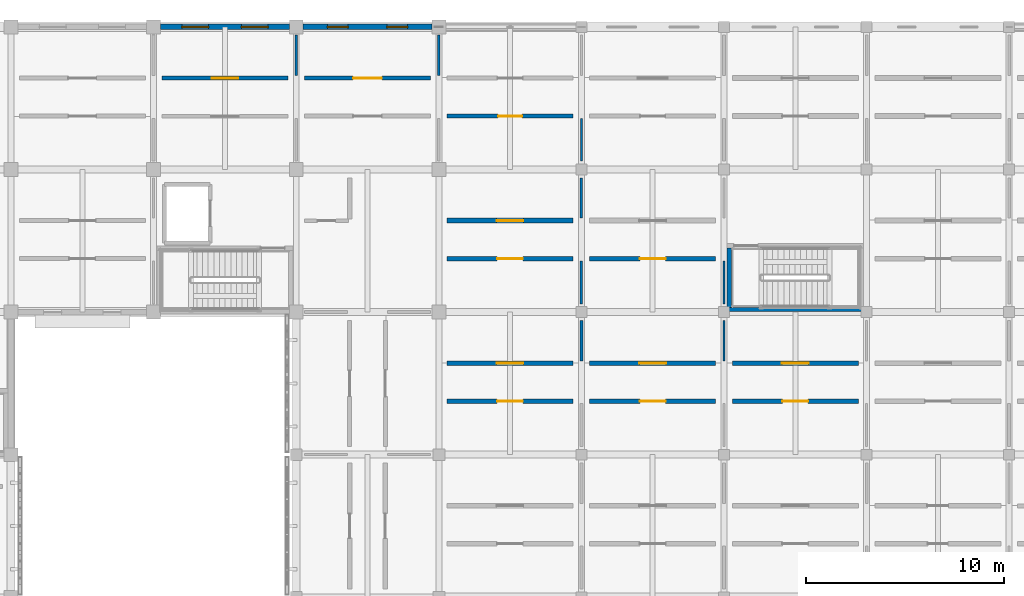
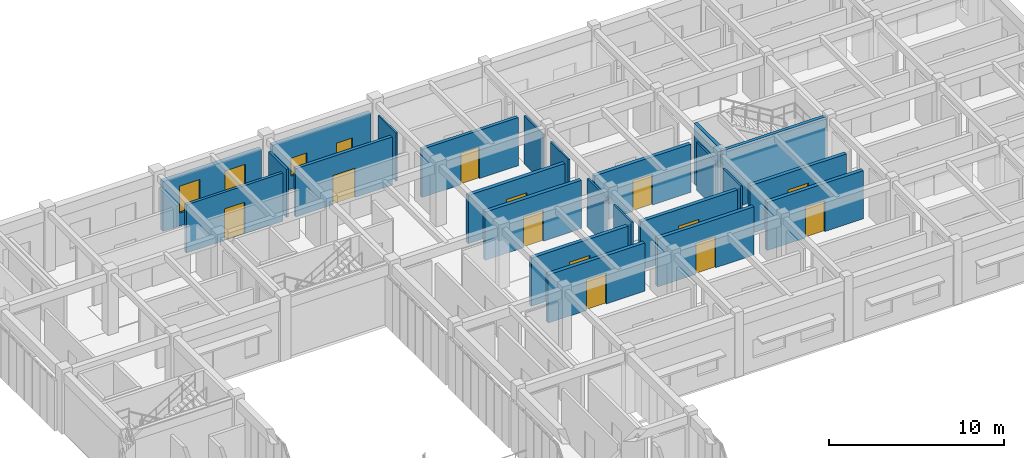
# One storey, part 127 of 171: 24 walls, 12 doors, 4 windows, 16 openings.
"""IFC4 building model written with IfcOpenShell, lengths in metres."""

from ifc_helpers import new_model, si_unit, direction, frame, frame_2d, origin, place, context, subcontext, project, spatial, rectangle, extrude, material, layer, layer_set, type_object, element, fill, save


model = new_model("IFC4")

# Units and contexts
model_context = context("Model", 3, precision=1e-05, world=origin(), true_north=direction((0.0, 1.0)))
body_context = subcontext(model_context, "Body", "Model", "MODEL_VIEW")
ifc_project = project(units=[si_unit("LENGTHUNIT", "METRE"), si_unit("AREAUNIT", "SQUARE_METRE"), si_unit("VOLUMEUNIT", "CUBIC_METRE"), si_unit("PLANEANGLEUNIT", "RADIAN"), si_unit("MASSUNIT", "GRAM", prefix="KILO")], contexts=[model_context])

# Site, building, storey
site_placement = place(None, origin())
site = spatial("IfcSite", under=ifc_project, at=site_placement, CompositionType="ELEMENT")
building_placement = place(site_placement, origin())
building = spatial("IfcBuilding", under=site, at=building_placement, Name="Aldebral Square Health Centre", CompositionType="ELEMENT")
storey_placement = place(building_placement, frame((0.0, 0.0, 4.5)))
storey = spatial("IfcBuildingStorey", under=building, at=storey_placement, Name="L01", CompositionType="ELEMENT", Elevation=4.5)

# Wall, openings, windows
ifc_material_1 = material(Name="Ochre mineral-rendered concrete C35/45 court wall", Category="concrete")
ifc_layer_1 = layer(ifc_material_1, 0.280029296875, Name="Ochre mineral-rendered concrete C35/45 court wall", Category="concrete")
ifc_layer_set_1 = layer_set([ifc_layer_1], Name="Ochre mineral-rendered concrete C35/45 court wall")
wall_type_1 = type_object("IfcWallType", Name="EW-OCH-280", PredefinedType="STANDARD", material=ifc_layer_set_1)
wall_1_placement = place(storey_placement, frame((21.25, 115.199951171875, 0.0), z_axis=(0.0, 0.0, 1.0), x_axis=(-1.0, 0.0, 0.0)))
wall_1 = element("IfcWall", 1, at=wall_1_placement, inside=storey, type_object=wall_type_1, Name="L01 V4 exterior wall L01-V4-02-15-N", PredefinedType="STANDARD", context=body_context, shape_type="SweptSolid", body=[
    extrude(rectangle(XDim=6.5, YDim=0.280029296875, at=frame_2d((3.25, 0.0))), origin(), (0.0, 0.0, 1.0), 3.469970703125),
])
opening_1_placement = place(wall_1_placement, frame((1.074951171875, 0.0, 0.89990234375)))
opening_1 = element("IfcOpeningElement", 2, at=opening_1_placement, cuts=wall_1, Name="Opening W49", PredefinedType="OPENING", context=body_context, shape_type="SweptSolid", body=[
    extrude(rectangle(XDim=1.35009765625, YDim=1.8798828125, at=frame_2d((0.675048828125, 0.93994140625))), frame((0.0, 0.14990234375, 0.0), z_axis=(0.0, -1.0, 0.0), x_axis=(1.0, 0.0, 0.0)), (0.0, 0.0, 1.0), 0.300048828125),
])
opening_2_placement = place(wall_1_placement, frame((4.074951171875, 0.0, 0.89990234375)))
opening_2 = element("IfcOpeningElement", 3, at=opening_2_placement, cuts=wall_1, Name="Opening W49", PredefinedType="OPENING", context=body_context, shape_type="SweptSolid", body=[
    extrude(rectangle(XDim=1.35009765625, YDim=1.8798828125, at=frame_2d((0.675048828125, 0.93994140625))), frame((0.0, 0.14990234375, 0.0), z_axis=(0.0, -1.0, 0.0), x_axis=(1.0, 0.0, 0.0)), (0.0, 0.0, 1.0), 0.300048828125),
])
ifc_material_2 = material(Name="Thermally broken aluminium and low-E glass", Category="aluminium")
window_type_1 = type_object("IfcWindowType", Name="WIN-W49", PartitioningType="SINGLE_PANEL", PredefinedType="WINDOW", material=ifc_material_2)
window_1_placement = place(opening_1_placement, origin())
window_1 = element("IfcWindow", 4, at=window_1_placement, inside=storey, type_object=window_type_1, Name="L01 clinical window L01-V4-02-15-N.1", OverallHeight=1.8798828125, OverallWidth=1.35009765625, PartitioningType="SINGLE_PANEL", PredefinedType="WINDOW", context=body_context, shape_type="SweptSolid", body=[
    extrude(rectangle(XDim=1.35009765625, YDim=1.8798828125, at=frame_2d((0.675048828125, 0.93994140625))), frame((0.0, 0.030029296875, 0.0), z_axis=(0.0, -1.0, 0.0), x_axis=(1.0, 0.0, 0.0)), (0.0, 0.0, 1.0), 0.06005859375),
])
fill(opening_1, window_1)
window_2_placement = place(opening_2_placement, origin())
window_2 = element("IfcWindow", 5, at=window_2_placement, inside=storey, type_object=window_type_1, Name="L01 clinical window L01-V4-02-15-N.2", OverallHeight=1.8798828125, OverallWidth=1.35009765625, PartitioningType="SINGLE_PANEL", PredefinedType="WINDOW", context=body_context, shape_type="SweptSolid", body=[
    extrude(rectangle(XDim=1.35009765625, YDim=1.8798828125, at=frame_2d((0.675048828125, 0.93994140625))), frame((0.0, 0.030029296875, 0.0), z_axis=(0.0, -1.0, 0.0), x_axis=(1.0, 0.0, 0.0)), (0.0, 0.0, 1.0), 0.06005859375),
])
fill(opening_2, window_2)

wall_2_placement = place(storey_placement, frame((28.449951171875, 115.199951171875, 0.0), z_axis=(0.0, 0.0, 1.0), x_axis=(-1.0, 0.0, 0.0)))
wall_2 = element("IfcWall", 6, at=wall_2_placement, inside=storey, type_object=wall_type_1, Name="L01 V4 exterior wall L01-V4-03-15-N", PredefinedType="STANDARD", context=body_context, shape_type="SweptSolid", body=[
    extrude(rectangle(XDim=6.5, YDim=0.280029296875, at=frame_2d((3.25, 0.0))), origin(), (0.0, 0.0, 1.0), 3.469970703125),
])
opening_3_placement = place(wall_2_placement, frame((1.22509765625, 0.0, 0.89990234375)))
opening_3 = element("IfcOpeningElement", 7, at=opening_3_placement, cuts=wall_2, Name="Opening W02", PredefinedType="OPENING", context=body_context, shape_type="SweptSolid", body=[
    extrude(rectangle(XDim=1.050048828125, YDim=1.25, at=frame_2d((0.52490234375, 0.625))), frame((0.0, 0.14990234375, 0.0), z_axis=(0.0, -1.0, 0.0), x_axis=(1.0, 0.0, 0.0)), (0.0, 0.0, 1.0), 0.300048828125),
])
opening_4_placement = place(wall_2_placement, frame((4.22509765625, 0.0, 0.89990234375)))
opening_4 = element("IfcOpeningElement", 8, at=opening_4_placement, cuts=wall_2, Name="Opening W02", PredefinedType="OPENING", context=body_context, shape_type="SweptSolid", body=[
    extrude(rectangle(XDim=1.050048828125, YDim=1.25, at=frame_2d((0.52490234375, 0.625))), frame((0.0, 0.14990234375, 0.0), z_axis=(0.0, -1.0, 0.0), x_axis=(1.0, 0.0, 0.0)), (0.0, 0.0, 1.0), 0.300048828125),
])
window_type_2 = type_object("IfcWindowType", Name="WIN-W02", PartitioningType="SINGLE_PANEL", PredefinedType="WINDOW", material=ifc_material_2)
window_3_placement = place(opening_3_placement, origin())
window_3 = element("IfcWindow", 9, at=window_3_placement, inside=storey, type_object=window_type_2, Name="L01 clinical window L01-V4-03-15-N.1", OverallHeight=1.25, OverallWidth=1.050048828125, PartitioningType="SINGLE_PANEL", PredefinedType="WINDOW", context=body_context, shape_type="SweptSolid", body=[
    extrude(rectangle(XDim=1.050048828125, YDim=1.25, at=frame_2d((0.52490234375, 0.625))), frame((0.0, 0.030029296875, 0.0), z_axis=(0.0, -1.0, 0.0), x_axis=(1.0, 0.0, 0.0)), (0.0, 0.0, 1.0), 0.06005859375),
])
fill(opening_3, window_3)
window_4_placement = place(opening_4_placement, origin())
window_4 = element("IfcWindow", 10, at=window_4_placement, inside=storey, type_object=window_type_2, Name="L01 clinical window L01-V4-03-15-N.2", OverallHeight=1.25, OverallWidth=1.050048828125, PartitioningType="SINGLE_PANEL", PredefinedType="WINDOW", context=body_context, shape_type="SweptSolid", body=[
    extrude(rectangle(XDim=1.050048828125, YDim=1.25, at=frame_2d((0.52490234375, 0.625))), frame((0.0, 0.030029296875, 0.0), z_axis=(0.0, -1.0, 0.0), x_axis=(1.0, 0.0, 0.0)), (0.0, 0.0, 1.0), 0.06005859375),
])
fill(opening_4, window_4)

# Wall, opening, door
ifc_material_3 = material(Name="Fire-rated acoustic gypsum partition")
ifc_layer_2 = layer(ifc_material_3, 0.179931640625, Name="Fire-rated acoustic gypsum partition")
ifc_layer_set_2 = layer_set([ifc_layer_2], Name="Fire-rated acoustic gypsum partition")
wall_type_2 = type_object("IfcWallType", Name="IW-COR-180", PredefinedType="PARTITIONING", material=ifc_layer_set_2)
wall_3_placement = place(storey_placement, frame((14.820068359375, 112.6201171875, 0.0), z_axis=(0.0, 0.0, 1.0), x_axis=(1.0, 0.0, 0.0)))
wall_3 = element("IfcWall", 11, at=wall_3_placement, inside=storey, type_object=wall_type_2, Name="L01 Internal Medicine Clinic 3.16N corridor wall", PredefinedType="PARTITIONING", context=body_context, shape_type="SweptSolid", body=[
    extrude(rectangle(XDim=6.35986328125, YDim=0.179931640625, at=frame_2d((3.179931640625, 0.0))), origin(), (0.0, 0.0, 1.0), 3.360107421875),
])
opening_5_placement = place(wall_3_placement, frame((2.5048828125, 0.0, 0.0)))
opening_5 = element("IfcOpeningElement", 12, at=opening_5_placement, cuts=wall_3, Name="Opening D-0289", PredefinedType="OPENING", context=body_context, shape_type="SweptSolid", body=[
    extrude(rectangle(XDim=1.35009765625, YDim=2.199951171875, at=frame_2d((0.675048828125, 1.10009765625))), frame((0.0, 0.10009765625, 0.0), z_axis=(0.0, -1.0, 0.0), x_axis=(1.0, 0.0, 0.0)), (0.0, 0.0, 1.0), 0.199951171875),
])
ifc_material_4 = material(Name="Lead-lined imaging suite door")
door_type_1 = type_object("IfcDoorType", Name="ID-IM-135", OperationType="NOTDEFINED", PredefinedType="DOOR", material=ifc_material_4)
door_1_placement = place(opening_5_placement, origin())
door_1 = element("IfcDoor", 13, at=door_1_placement, inside=storey, type_object=door_type_1, Name="L01 Internal Medicine Clinic 3.16N door", OperationType="SINGLE_SWING_RIGHT", OverallHeight=2.199951171875, OverallWidth=1.35009765625, PredefinedType="DOOR", context=body_context, shape_type="SweptSolid", body=[
    extrude(rectangle(XDim=1.35009765625, YDim=2.199951171875, at=frame_2d((0.675048828125, 1.10009765625))), frame((0.0, 0.02490234375, 0.0), z_axis=(0.0, -1.0, 0.0), x_axis=(1.0, 0.0, 0.0)), (0.0, 0.0, 1.0), 0.050048828125),
])
fill(opening_5, door_1)

# Walls
ifc_material_5 = material(Name="Concrete C40/50", Category="concrete")
ifc_layer_3 = layer(ifc_material_5, 0.219970703125, Name="Concrete C40/50", Category="concrete")
ifc_layer_set_3 = layer_set([ifc_layer_3], Name="Concrete C40/50")
wall_type_3 = type_object("IfcWallType", Name="IW-CORE-280", PredefinedType="SHEAR", material=ifc_layer_set_3)
wall_4_placement = place(storey_placement, frame((43.360107421875, 100.929931640625, 0.0), z_axis=(0.0, 0.0, 1.0), x_axis=(1.0, 0.0, 0.0)))
element("IfcWall", 14, at=wall_4_placement, inside=storey, type_object=wall_type_3, Name="L01 WS-S6 shaft wall S", PredefinedType="SHEAR", context=body_context, shape_type="SweptSolid", body=[
    extrude(rectangle(XDim=6.8798828125, YDim=0.219970703125, at=frame_2d((3.43994140625, 0.0))), origin(), (0.0, 0.0, 1.0), 4.219970703125),
])
wall_5_placement = place(storey_placement, frame((43.469970703125, 101.0400390625, 0.0), z_axis=(0.0, 0.0, 1.0), x_axis=(0.0, 1.0, 0.0)))
element("IfcWall", 15, at=wall_5_placement, inside=storey, type_object=wall_type_3, Name="L01 WS-S6 shaft wall W", PredefinedType="SHEAR", context=body_context, shape_type="SweptSolid", body=[
    extrude(rectangle(XDim=3.0, YDim=0.219970703125, at=frame_2d((1.5, 0.0))), origin(), (0.0, 0.0, 1.0), 4.219970703125),
])

# Wall, opening, door
ifc_material_6 = material(Name="Moisture-resistant sanitary chase wall")
ifc_layer_4 = layer(ifc_material_6, 0.2099609375, Name="Moisture-resistant sanitary chase wall")
ifc_layer_set_4 = layer_set([ifc_layer_4], Name="Moisture-resistant sanitary chase wall")
wall_type_4 = type_object("IfcWallType", Name="IW-PLB-210", PredefinedType="PLUMBINGWALL", material=ifc_layer_set_4)
wall_6_placement = place(storey_placement, frame((29.219970703125, 110.699951171875, 0.0), z_axis=(0.0, 0.0, 1.0), x_axis=(1.0, 0.0, 0.0)))
wall_6 = element("IfcWall", 16, at=wall_6_placement, inside=storey, type_object=wall_type_4, Name="L01 Patient Imaging Dressing WC 5.16S corridor wall", PredefinedType="PLUMBINGWALL", context=body_context, shape_type="SweptSolid", body=[
    extrude(rectangle(XDim=6.360107421875, YDim=0.2099609375, at=frame_2d((3.18017578125, 0.0))), origin(), (0.0, 0.0, 1.0), 3.360107421875),
])
opening_6_placement = place(wall_6_placement, frame((2.570068359375, 0.0, 0.0)))
opening_6 = element("IfcOpeningElement", 17, at=opening_6_placement, cuts=wall_6, Name="Opening D-0209", PredefinedType="OPENING", context=body_context, shape_type="SweptSolid", body=[
    extrude(rectangle(XDim=1.219970703125, YDim=2.18994140625, at=frame_2d((0.60986328125, 1.094970703125))), frame((0.0, 0.114990234375, 0.0), z_axis=(0.0, -1.0, 0.0), x_axis=(1.0, 0.0, 0.0)), (0.0, 0.0, 1.0), 0.22998046875),
])
ifc_material_7 = material(Name="Clinical suite fire door")
door_type_2 = type_object("IfcDoorType", Name="ID-EXD-56", OperationType="NOTDEFINED", PredefinedType="DOOR", material=ifc_material_7)
door_2_placement = place(opening_6_placement, origin())
door_2 = element("IfcDoor", 18, at=door_2_placement, inside=storey, type_object=door_type_2, Name="L01 Patient Imaging Dressing WC 5.16S door", OperationType="SINGLE_SWING_RIGHT", OverallHeight=2.18994140625, OverallWidth=1.219970703125, PredefinedType="DOOR", context=body_context, shape_type="SweptSolid", body=[
    extrude(rectangle(XDim=1.219970703125, YDim=2.18994140625, at=frame_2d((0.60986328125, 1.094970703125))), frame((0.0, 0.02490234375, 0.0), z_axis=(0.0, -1.0, 0.0), x_axis=(1.0, 0.0, 0.0)), (0.0, 0.0, 1.0), 0.050048828125),
])
fill(opening_6, door_2)

wall_7_placement = place(storey_placement, frame((22.02001953125, 112.6201171875, 0.0), z_axis=(0.0, 0.0, 1.0), x_axis=(1.0, 0.0, 0.0)))
wall_7 = element("IfcWall", 19, at=wall_7_placement, inside=storey, type_object=wall_type_4, Name="L01 Staff Toilet 4.16N corridor wall", PredefinedType="PLUMBINGWALL", context=body_context, shape_type="SweptSolid", body=[
    extrude(rectangle(XDim=6.35986328125, YDim=0.2099609375, at=frame_2d((3.179931640625, 0.0))), origin(), (0.0, 0.0, 1.0), 3.360107421875),
])
opening_7_placement = place(wall_7_placement, frame((2.449951171875, 0.0, 0.0)))
opening_7 = element("IfcOpeningElement", 20, at=opening_7_placement, cuts=wall_7, Name="Opening D-0305", PredefinedType="OPENING", context=body_context, shape_type="SweptSolid", body=[
    extrude(rectangle(XDim=1.4599609375, YDim=2.0400390625, at=frame_2d((0.72998046875, 1.02001953125))), frame((0.0, 0.114990234375, 0.0), z_axis=(0.0, -1.0, 0.0), x_axis=(1.0, 0.0, 0.0)), (0.0, 0.0, 1.0), 0.22998046875),
])
door_type_3 = type_object("IfcDoorType", Name="ID-EXD-14", OperationType="NOTDEFINED", PredefinedType="DOOR", material=ifc_material_7)
door_3_placement = place(opening_7_placement, origin())
door_3 = element("IfcDoor", 21, at=door_3_placement, inside=storey, type_object=door_type_3, Name="L01 Staff Toilet 4.16N door", OperationType="SINGLE_SWING_RIGHT", OverallHeight=2.0400390625, OverallWidth=1.4599609375, PredefinedType="DOOR", context=body_context, shape_type="SweptSolid", body=[
    extrude(rectangle(XDim=1.4599609375, YDim=2.0400390625, at=frame_2d((0.72998046875, 1.02001953125))), frame((0.0, 0.02490234375, 0.0), z_axis=(0.0, -1.0, 0.0), x_axis=(1.0, 0.0, 0.0)), (0.0, 0.0, 1.0), 0.050048828125),
])
fill(opening_7, door_3)

# Walls
ifc_material_8 = material(Name="Lightweight clinical partition")
ifc_layer_5 = layer(ifc_material_8, 0.10498046875, Name="Lightweight clinical partition")
ifc_layer_set_5 = layer_set([ifc_layer_5], Name="Lightweight clinical partition")
wall_type_5 = type_object("IfcWallType", Name="IW-PRT-105", PredefinedType="PARTITIONING", material=ifc_layer_set_5)
wall_8_placement = place(storey_placement, frame((36.0, 108.419921875, 0.0), z_axis=(0.0, 0.0, 1.0), x_axis=(0.0, 1.0, 0.0)))
element("IfcWall", 22, at=wall_8_placement, inside=storey, type_object=wall_type_5, Name="L01 Patient Imaging Dressing WC 5.16S demising partition", PredefinedType="PARTITIONING", context=body_context, shape_type="SweptSolid", body=[
    extrude(rectangle(XDim=2.16015625, YDim=0.10498046875, at=frame_2d((1.080078125, 0.0))), origin(), (0.0, 0.0, 1.0), 3.360107421875),
])
wall_9_placement = place(storey_placement, frame((43.199951171875, 101.219970703125, 0.0), z_axis=(0.0, 0.0, 1.0), x_axis=(0.0, 1.0, 0.0)))
element("IfcWall", 23, at=wall_9_placement, inside=storey, type_object=wall_type_5, Name="L01 Diagnostic Ultrasound Room 6.15S demising partition", PredefinedType="PARTITIONING", context=body_context, shape_type="SweptSolid", body=[
    extrude(rectangle(XDim=2.159912109375, YDim=0.10498046875, at=frame_2d((1.080078125, 0.0))), origin(), (0.0, 0.0, 1.0), 3.360107421875),
])
ifc_material_9 = material(Name="Acoustic clinical gypsum partition")
ifc_layer_6 = layer(ifc_material_9, 0.1201171875, Name="Acoustic clinical gypsum partition")
ifc_layer_set_6 = layer_set([ifc_layer_6], Name="Acoustic clinical gypsum partition")
wall_type_6 = type_object("IfcWallType", Name="IW-PRT-120", PredefinedType="PARTITIONING", material=ifc_layer_set_6)
wall_10_placement = place(storey_placement, frame((36.0, 101.219970703125, 0.0), z_axis=(0.0, 0.0, 1.0), x_axis=(0.0, 1.0, 0.0)))
element("IfcWall", 24, at=wall_10_placement, inside=storey, type_object=wall_type_6, Name="L01 Diagnostic Ultrasound Room 5.15S demising partition", PredefinedType="PARTITIONING", context=body_context, shape_type="SweptSolid", body=[
    extrude(rectangle(XDim=2.159912109375, YDim=0.1201171875, at=frame_2d((1.080078125, 0.0))), origin(), (0.0, 0.0, 1.0), 3.360107421875),
])
wall_11_placement = place(storey_placement, frame((36.0, 105.5400390625, 0.0), z_axis=(0.0, 0.0, 1.0), x_axis=(0.0, 1.0, 0.0)))
element("IfcWall", 25, at=wall_11_placement, inside=storey, type_object=wall_type_6, Name="L01 Radiology Reporting Room 5.15N demising partition", PredefinedType="PARTITIONING", context=body_context, shape_type="SweptSolid", body=[
    extrude(rectangle(XDim=2.0400390625, YDim=0.1201171875, at=frame_2d((1.02001953125, 0.0))), origin(), (0.0, 0.0, 1.0), 3.360107421875),
])
wall_12_placement = place(storey_placement, frame((43.199951171875, 98.340087890625, 0.0), z_axis=(0.0, 0.0, 1.0), x_axis=(0.0, 1.0, 0.0)))
element("IfcWall", 26, at=wall_12_placement, inside=storey, type_object=wall_type_6, Name="L01 Mammography Screening Suite 6.14N demising partition", PredefinedType="PARTITIONING", context=body_context, shape_type="SweptSolid", body=[
    extrude(rectangle(XDim=2.039794921875, YDim=0.1201171875, at=frame_2d((1.02001953125, 0.0))), origin(), (0.0, 0.0, 1.0), 3.360107421875),
])
wall_13_placement = place(storey_placement, frame((28.800048828125, 112.739990234375, 0.0), z_axis=(0.0, 0.0, 1.0), x_axis=(0.0, 1.0, 0.0)))
element("IfcWall", 27, at=wall_13_placement, inside=storey, type_object=wall_type_6, Name="L01 Staff Toilet 4.16N demising partition", PredefinedType="PARTITIONING", context=body_context, shape_type="SweptSolid", body=[
    extrude(rectangle(XDim=2.0400390625, YDim=0.1201171875, at=frame_2d((1.02001953125, 0.0))), origin(), (0.0, 0.0, 1.0), 3.360107421875),
])
ifc_layer_7 = layer(ifc_material_9, 0.135009765625, Name="Acoustic clinical gypsum partition")
ifc_layer_set_7 = layer_set([ifc_layer_7], Name="Acoustic clinical gypsum partition")
wall_type_7 = type_object("IfcWallType", Name="IW-PRT-135", PredefinedType="PARTITIONING", material=ifc_layer_set_7)
wall_14_placement = place(storey_placement, frame((36.0, 98.340087890625, 0.0), z_axis=(0.0, 0.0, 1.0), x_axis=(0.0, 1.0, 0.0)))
element("IfcWall", 28, at=wall_14_placement, inside=storey, type_object=wall_type_7, Name="L01 Mammography Screening Suite 5.14N demising partition", PredefinedType="PARTITIONING", context=body_context, shape_type="SweptSolid", body=[
    extrude(rectangle(XDim=2.039794921875, YDim=0.135009765625, at=frame_2d((1.02001953125, 0.0))), origin(), (0.0, 0.0, 1.0), 3.360107421875),
])
wall_15_placement = place(storey_placement, frame((21.60009765625, 112.739990234375, 0.0), z_axis=(0.0, 0.0, 1.0), x_axis=(0.0, 1.0, 0.0)))
element("IfcWall", 29, at=wall_15_placement, inside=storey, type_object=wall_type_7, Name="L01 Internal Medicine Clinic 3.16N demising partition", PredefinedType="PARTITIONING", context=body_context, shape_type="SweptSolid", body=[
    extrude(rectangle(XDim=2.0400390625, YDim=0.135009765625, at=frame_2d((1.02001953125, 0.0))), origin(), (0.0, 0.0, 1.0), 3.360107421875),
])

# Wall, opening, door
ifc_material_10 = material(Name="Lead-lined gypsum and concrete C35/45 barrier", Category="concrete")
ifc_layer_8 = layer(ifc_material_10, 0.239990234375, Name="Lead-lined gypsum and concrete C35/45 barrier", Category="concrete")
ifc_layer_set_8 = layer_set([ifc_layer_8], Name="Lead-lined gypsum and concrete C35/45 barrier")
wall_type_8 = type_object("IfcWallType", Name="IW-RAD-240", PredefinedType="SOLIDWALL", material=ifc_layer_set_8)
wall_16_placement = place(storey_placement, frame((29.219970703125, 96.300048828125, 0.0), z_axis=(0.0, 0.0, 1.0), x_axis=(1.0, 0.0, 0.0)))
wall_16 = element("IfcWall", 30, at=wall_16_placement, inside=storey, type_object=wall_type_8, Name="L01 Digital Radiography X-Ray Room 5.14S corridor wall", PredefinedType="SOLIDWALL", context=body_context, shape_type="SweptSolid", body=[
    extrude(rectangle(XDim=6.360107421875, YDim=0.239990234375, at=frame_2d((3.18017578125, 0.0))), origin(), (0.0, 0.0, 1.0), 3.360107421875),
])
opening_8_placement = place(wall_16_placement, frame((2.530029296875, 0.0, 0.0)))
opening_8 = element("IfcOpeningElement", 31, at=opening_8_placement, cuts=wall_16, Name="Opening D-0205", PredefinedType="OPENING", context=body_context, shape_type="SweptSolid", body=[
    extrude(rectangle(XDim=1.300048828125, YDim=2.14990234375, at=frame_2d((0.64990234375, 1.074951171875))), frame((0.0, 0.1298828125, 0.0), z_axis=(0.0, -1.0, 0.0), x_axis=(1.0, 0.0, 0.0)), (0.0, 0.0, 1.0), 0.260009765625),
])
ifc_material_11 = material(Name="Radiography shielded fire door")
door_type_4 = type_object("IfcDoorType", Name="ID-IM-130", OperationType="NOTDEFINED", PredefinedType="DOOR", material=ifc_material_11)
door_4_placement = place(opening_8_placement, origin())
door_4 = element("IfcDoor", 32, at=door_4_placement, inside=storey, type_object=door_type_4, Name="L01 Digital Radiography X-Ray Room 5.14S door", OperationType="SINGLE_SWING_RIGHT", OverallHeight=2.14990234375, OverallWidth=1.300048828125, PredefinedType="DOOR", context=body_context, shape_type="SweptSolid", body=[
    extrude(rectangle(XDim=1.300048828125, YDim=2.14990234375, at=frame_2d((0.64990234375, 1.074951171875))), frame((0.0, 0.02490234375, 0.0), z_axis=(0.0, -1.0, 0.0), x_axis=(1.0, 0.0, 0.0)), (0.0, 0.0, 1.0), 0.050048828125),
])
fill(opening_8, door_4)

wall_17_placement = place(storey_placement, frame((29.219970703125, 98.219970703125, 0.0), z_axis=(0.0, 0.0, 1.0), x_axis=(1.0, 0.0, 0.0)))
wall_17 = element("IfcWall", 33, at=wall_17_placement, inside=storey, type_object=wall_type_8, Name="L01 Mammography Screening Suite 5.14N corridor wall", PredefinedType="SOLIDWALL", context=body_context, shape_type="SweptSolid", body=[
    extrude(rectangle(XDim=6.360107421875, YDim=0.239990234375, at=frame_2d((3.18017578125, 0.0))), origin(), (0.0, 0.0, 1.0), 3.360107421875),
])
opening_9_placement = place(wall_17_placement, frame((2.5048828125, 0.0, 0.0)))
opening_9 = element("IfcOpeningElement", 34, at=opening_9_placement, cuts=wall_17, Name="Opening D-0206", PredefinedType="OPENING", context=body_context, shape_type="SweptSolid", body=[
    extrude(rectangle(XDim=1.35009765625, YDim=2.199951171875, at=frame_2d((0.675048828125, 1.10009765625))), frame((0.0, 0.1298828125, 0.0), z_axis=(0.0, -1.0, 0.0), x_axis=(1.0, 0.0, 0.0)), (0.0, 0.0, 1.0), 0.260009765625),
])
door_5_placement = place(opening_9_placement, origin())
door_5 = element("IfcDoor", 35, at=door_5_placement, inside=storey, type_object=door_type_1, Name="L01 Mammography Screening Suite 5.14N door", OperationType="SINGLE_SWING_LEFT", OverallHeight=2.199951171875, OverallWidth=1.35009765625, PredefinedType="DOOR", context=body_context, shape_type="SweptSolid", body=[
    extrude(rectangle(XDim=1.35009765625, YDim=2.199951171875, at=frame_2d((0.675048828125, 1.10009765625))), frame((0.0, 0.02490234375, 0.0), z_axis=(0.0, -1.0, 0.0), x_axis=(1.0, 0.0, 0.0)), (0.0, 0.0, 1.0), 0.050048828125),
])
fill(opening_9, door_5)

wall_18_placement = place(storey_placement, frame((29.219970703125, 103.5, 0.0), z_axis=(0.0, 0.0, 1.0), x_axis=(1.0, 0.0, 0.0)))
wall_18 = element("IfcWall", 36, at=wall_18_placement, inside=storey, type_object=wall_type_8, Name="L01 Diagnostic Ultrasound Room 5.15S corridor wall", PredefinedType="SOLIDWALL", context=body_context, shape_type="SweptSolid", body=[
    extrude(rectangle(XDim=6.360107421875, YDim=0.239990234375, at=frame_2d((3.18017578125, 0.0))), origin(), (0.0, 0.0, 1.0), 3.360107421875),
])
opening_10_placement = place(wall_18_placement, frame((2.530029296875, 0.0, 0.0)))
opening_10 = element("IfcOpeningElement", 37, at=opening_10_placement, cuts=wall_18, Name="Opening D-0207", PredefinedType="OPENING", context=body_context, shape_type="SweptSolid", body=[
    extrude(rectangle(XDim=1.300048828125, YDim=2.14990234375, at=frame_2d((0.64990234375, 1.074951171875))), frame((0.0, 0.1298828125, 0.0), z_axis=(0.0, -1.0, 0.0), x_axis=(1.0, 0.0, 0.0)), (0.0, 0.0, 1.0), 0.260009765625),
])
door_6_placement = place(opening_10_placement, origin())
door_6 = element("IfcDoor", 38, at=door_6_placement, inside=storey, type_object=door_type_4, Name="L01 Diagnostic Ultrasound Room 5.15S door", OperationType="SINGLE_SWING_RIGHT", OverallHeight=2.14990234375, OverallWidth=1.300048828125, PredefinedType="DOOR", context=body_context, shape_type="SweptSolid", body=[
    extrude(rectangle(XDim=1.300048828125, YDim=2.14990234375, at=frame_2d((0.64990234375, 1.074951171875))), frame((0.0, 0.02490234375, 0.0), z_axis=(0.0, -1.0, 0.0), x_axis=(1.0, 0.0, 0.0)), (0.0, 0.0, 1.0), 0.050048828125),
])
fill(opening_10, door_6)

wall_19_placement = place(storey_placement, frame((29.219970703125, 105.419921875, 0.0), z_axis=(0.0, 0.0, 1.0), x_axis=(1.0, 0.0, 0.0)))
wall_19 = element("IfcWall", 39, at=wall_19_placement, inside=storey, type_object=wall_type_8, Name="L01 Radiology Reporting Room 5.15N corridor wall", PredefinedType="SOLIDWALL", context=body_context, shape_type="SweptSolid", body=[
    extrude(rectangle(XDim=6.360107421875, YDim=0.239990234375, at=frame_2d((3.18017578125, 0.0))), origin(), (0.0, 0.0, 1.0), 3.360107421875),
])
opening_11_placement = place(wall_19_placement, frame((2.5048828125, 0.0, 0.0)))
opening_11 = element("IfcOpeningElement", 40, at=opening_11_placement, cuts=wall_19, Name="Opening D-0208", PredefinedType="OPENING", context=body_context, shape_type="SweptSolid", body=[
    extrude(rectangle(XDim=1.35009765625, YDim=2.199951171875, at=frame_2d((0.675048828125, 1.10009765625))), frame((0.0, 0.1298828125, 0.0), z_axis=(0.0, -1.0, 0.0), x_axis=(1.0, 0.0, 0.0)), (0.0, 0.0, 1.0), 0.260009765625),
])
door_7_placement = place(opening_11_placement, origin())
door_7 = element("IfcDoor", 41, at=door_7_placement, inside=storey, type_object=door_type_1, Name="L01 Radiology Reporting Room 5.15N door", OperationType="SINGLE_SWING_LEFT", OverallHeight=2.199951171875, OverallWidth=1.35009765625, PredefinedType="DOOR", context=body_context, shape_type="SweptSolid", body=[
    extrude(rectangle(XDim=1.35009765625, YDim=2.199951171875, at=frame_2d((0.675048828125, 1.10009765625))), frame((0.0, 0.02490234375, 0.0), z_axis=(0.0, -1.0, 0.0), x_axis=(1.0, 0.0, 0.0)), (0.0, 0.0, 1.0), 0.050048828125),
])
fill(opening_11, door_7)

wall_20_placement = place(storey_placement, frame((36.419921875, 96.300048828125, 0.0), z_axis=(0.0, 0.0, 1.0), x_axis=(1.0, 0.0, 0.0)))
wall_20 = element("IfcWall", 42, at=wall_20_placement, inside=storey, type_object=wall_type_8, Name="L01 Digital Radiography X-Ray Room 6.14S corridor wall", PredefinedType="SOLIDWALL", context=body_context, shape_type="SweptSolid", body=[
    extrude(rectangle(XDim=6.360107421875, YDim=0.239990234375, at=frame_2d((3.18017578125, 0.0))), origin(), (0.0, 0.0, 1.0), 3.360107421875),
])
opening_12_placement = place(wall_20_placement, frame((2.530029296875, 0.0, 0.0)))
opening_12 = element("IfcOpeningElement", 43, at=opening_12_placement, cuts=wall_20, Name="Opening D-0213", PredefinedType="OPENING", context=body_context, shape_type="SweptSolid", body=[
    extrude(rectangle(XDim=1.300048828125, YDim=2.14990234375, at=frame_2d((0.64990234375, 1.074951171875))), frame((0.0, 0.1298828125, 0.0), z_axis=(0.0, -1.0, 0.0), x_axis=(1.0, 0.0, 0.0)), (0.0, 0.0, 1.0), 0.260009765625),
])
door_8_placement = place(opening_12_placement, origin())
door_8 = element("IfcDoor", 44, at=door_8_placement, inside=storey, type_object=door_type_4, Name="L01 Digital Radiography X-Ray Room 6.14S door", OperationType="SINGLE_SWING_RIGHT", OverallHeight=2.14990234375, OverallWidth=1.300048828125, PredefinedType="DOOR", context=body_context, shape_type="SweptSolid", body=[
    extrude(rectangle(XDim=1.300048828125, YDim=2.14990234375, at=frame_2d((0.64990234375, 1.074951171875))), frame((0.0, 0.02490234375, 0.0), z_axis=(0.0, -1.0, 0.0), x_axis=(1.0, 0.0, 0.0)), (0.0, 0.0, 1.0), 0.050048828125),
])
fill(opening_12, door_8)

wall_21_placement = place(storey_placement, frame((36.419921875, 98.219970703125, 0.0), z_axis=(0.0, 0.0, 1.0), x_axis=(1.0, 0.0, 0.0)))
wall_21 = element("IfcWall", 45, at=wall_21_placement, inside=storey, type_object=wall_type_8, Name="L01 Mammography Screening Suite 6.14N corridor wall", PredefinedType="SOLIDWALL", context=body_context, shape_type="SweptSolid", body=[
    extrude(rectangle(XDim=6.360107421875, YDim=0.239990234375, at=frame_2d((3.18017578125, 0.0))), origin(), (0.0, 0.0, 1.0), 3.360107421875),
])
opening_13_placement = place(wall_21_placement, frame((2.5048828125, 0.0, 0.0)))
opening_13 = element("IfcOpeningElement", 46, at=opening_13_placement, cuts=wall_21, Name="Opening D-0214", PredefinedType="OPENING", context=body_context, shape_type="SweptSolid", body=[
    extrude(rectangle(XDim=1.35009765625, YDim=2.199951171875, at=frame_2d((0.675048828125, 1.10009765625))), frame((0.0, 0.1298828125, 0.0), z_axis=(0.0, -1.0, 0.0), x_axis=(1.0, 0.0, 0.0)), (0.0, 0.0, 1.0), 0.260009765625),
])
door_9_placement = place(opening_13_placement, origin())
door_9 = element("IfcDoor", 47, at=door_9_placement, inside=storey, type_object=door_type_1, Name="L01 Mammography Screening Suite 6.14N door", OperationType="SINGLE_SWING_LEFT", OverallHeight=2.199951171875, OverallWidth=1.35009765625, PredefinedType="DOOR", context=body_context, shape_type="SweptSolid", body=[
    extrude(rectangle(XDim=1.35009765625, YDim=2.199951171875, at=frame_2d((0.675048828125, 1.10009765625))), frame((0.0, 0.02490234375, 0.0), z_axis=(0.0, -1.0, 0.0), x_axis=(1.0, 0.0, 0.0)), (0.0, 0.0, 1.0), 0.050048828125),
])
fill(opening_13, door_9)

wall_22_placement = place(storey_placement, frame((36.419921875, 103.5, 0.0), z_axis=(0.0, 0.0, 1.0), x_axis=(1.0, 0.0, 0.0)))
wall_22 = element("IfcWall", 48, at=wall_22_placement, inside=storey, type_object=wall_type_8, Name="L01 Diagnostic Ultrasound Room 6.15S corridor wall", PredefinedType="SOLIDWALL", context=body_context, shape_type="SweptSolid", body=[
    extrude(rectangle(XDim=6.360107421875, YDim=0.239990234375, at=frame_2d((3.18017578125, 0.0))), origin(), (0.0, 0.0, 1.0), 3.360107421875),
])
opening_14_placement = place(wall_22_placement, frame((2.530029296875, 0.0, 0.0)))
opening_14 = element("IfcOpeningElement", 49, at=opening_14_placement, cuts=wall_22, Name="Opening D-0215", PredefinedType="OPENING", context=body_context, shape_type="SweptSolid", body=[
    extrude(rectangle(XDim=1.300048828125, YDim=2.14990234375, at=frame_2d((0.64990234375, 1.074951171875))), frame((0.0, 0.1298828125, 0.0), z_axis=(0.0, -1.0, 0.0), x_axis=(1.0, 0.0, 0.0)), (0.0, 0.0, 1.0), 0.260009765625),
])
door_10_placement = place(opening_14_placement, origin())
door_10 = element("IfcDoor", 50, at=door_10_placement, inside=storey, type_object=door_type_4, Name="L01 Diagnostic Ultrasound Room 6.15S door", OperationType="SINGLE_SWING_RIGHT", OverallHeight=2.14990234375, OverallWidth=1.300048828125, PredefinedType="DOOR", context=body_context, shape_type="SweptSolid", body=[
    extrude(rectangle(XDim=1.300048828125, YDim=2.14990234375, at=frame_2d((0.64990234375, 1.074951171875))), frame((0.0, 0.02490234375, 0.0), z_axis=(0.0, -1.0, 0.0), x_axis=(1.0, 0.0, 0.0)), (0.0, 0.0, 1.0), 0.050048828125),
])
fill(opening_14, door_10)

wall_23_placement = place(storey_placement, frame((43.6201171875, 96.300048828125, 0.0), z_axis=(0.0, 0.0, 1.0), x_axis=(1.0, 0.0, 0.0)))
wall_23 = element("IfcWall", 51, at=wall_23_placement, inside=storey, type_object=wall_type_8, Name="L01 Digital Radiography X-Ray Room 7.14S corridor wall", PredefinedType="SOLIDWALL", context=body_context, shape_type="SweptSolid", body=[
    extrude(rectangle(XDim=6.35986328125, YDim=0.239990234375, at=frame_2d((3.179931640625, 0.0))), origin(), (0.0, 0.0, 1.0), 3.360107421875),
])
opening_15_placement = place(wall_23_placement, frame((2.530029296875, 0.0, 0.0)))
opening_15 = element("IfcOpeningElement", 52, at=opening_15_placement, cuts=wall_23, Name="Opening D-0221", PredefinedType="OPENING", context=body_context, shape_type="SweptSolid", body=[
    extrude(rectangle(XDim=1.300048828125, YDim=2.14990234375, at=frame_2d((0.64990234375, 1.074951171875))), frame((0.0, 0.1298828125, 0.0), z_axis=(0.0, -1.0, 0.0), x_axis=(1.0, 0.0, 0.0)), (0.0, 0.0, 1.0), 0.260009765625),
])
door_11_placement = place(opening_15_placement, origin())
door_11 = element("IfcDoor", 53, at=door_11_placement, inside=storey, type_object=door_type_4, Name="L01 Digital Radiography X-Ray Room 7.14S door", OperationType="SINGLE_SWING_RIGHT", OverallHeight=2.14990234375, OverallWidth=1.300048828125, PredefinedType="DOOR", context=body_context, shape_type="SweptSolid", body=[
    extrude(rectangle(XDim=1.300048828125, YDim=2.14990234375, at=frame_2d((0.64990234375, 1.074951171875))), frame((0.0, 0.02490234375, 0.0), z_axis=(0.0, -1.0, 0.0), x_axis=(1.0, 0.0, 0.0)), (0.0, 0.0, 1.0), 0.050048828125),
])
fill(opening_15, door_11)

wall_24_placement = place(storey_placement, frame((43.6201171875, 98.219970703125, 0.0), z_axis=(0.0, 0.0, 1.0), x_axis=(1.0, 0.0, 0.0)))
wall_24 = element("IfcWall", 54, at=wall_24_placement, inside=storey, type_object=wall_type_8, Name="L01 Mammography Screening Suite 7.14N corridor wall", PredefinedType="SOLIDWALL", context=body_context, shape_type="SweptSolid", body=[
    extrude(rectangle(XDim=6.35986328125, YDim=0.239990234375, at=frame_2d((3.179931640625, 0.0))), origin(), (0.0, 0.0, 1.0), 3.360107421875),
])
opening_16_placement = place(wall_24_placement, frame((2.5048828125, 0.0, 0.0)))
opening_16 = element("IfcOpeningElement", 55, at=opening_16_placement, cuts=wall_24, Name="Opening D-0222", PredefinedType="OPENING", context=body_context, shape_type="SweptSolid", body=[
    extrude(rectangle(XDim=1.35009765625, YDim=2.199951171875, at=frame_2d((0.675048828125, 1.10009765625))), frame((0.0, 0.1298828125, 0.0), z_axis=(0.0, -1.0, 0.0), x_axis=(1.0, 0.0, 0.0)), (0.0, 0.0, 1.0), 0.260009765625),
])
door_12_placement = place(opening_16_placement, origin())
door_12 = element("IfcDoor", 56, at=door_12_placement, inside=storey, type_object=door_type_1, Name="L01 Mammography Screening Suite 7.14N door", OperationType="SINGLE_SWING_LEFT", OverallHeight=2.199951171875, OverallWidth=1.35009765625, PredefinedType="DOOR", context=body_context, shape_type="SweptSolid", body=[
    extrude(rectangle(XDim=1.35009765625, YDim=2.199951171875, at=frame_2d((0.675048828125, 1.10009765625))), frame((0.0, 0.02490234375, 0.0), z_axis=(0.0, -1.0, 0.0), x_axis=(1.0, 0.0, 0.0)), (0.0, 0.0, 1.0), 0.050048828125),
])
fill(opening_16, door_12)

save(model, "model.ifc")
